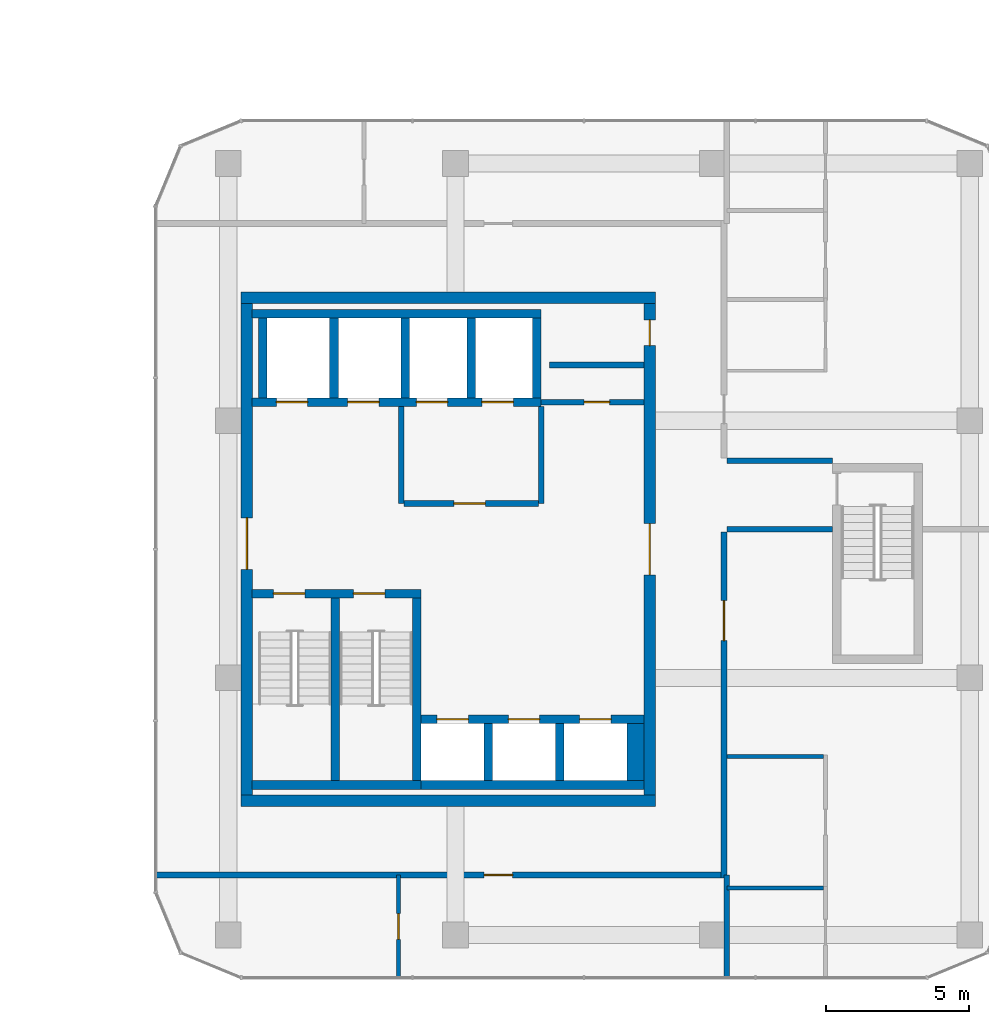
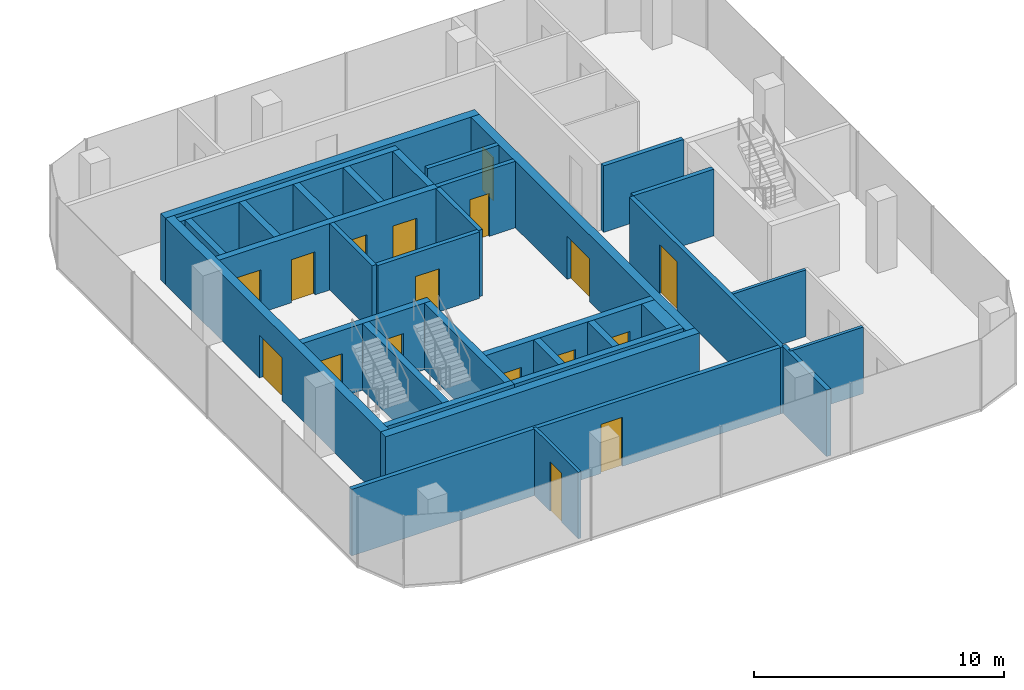
# One storey, part 17 of 22: 33 walls, 17 doors, 17 openings.
"""IFC4 building model written with IfcOpenShell, lengths in metres."""

from ifc_helpers import new_model, si_unit, direction, frame, frame_2d, origin, place, context, subcontext, project, spatial, rectangle, extrude, material, layer, layer_set, type_object, element, fill, save


model = new_model("IFC4")

# Units and contexts
model_context = context("Model", 3, precision=1e-05, world=origin(), true_north=direction((0.0, 1.0)))
body_context = subcontext(model_context, "Body", "Model", "MODEL_VIEW")
ifc_project = project(units=[si_unit("LENGTHUNIT", "METRE"), si_unit("AREAUNIT", "SQUARE_METRE"), si_unit("VOLUMEUNIT", "CUBIC_METRE"), si_unit("PLANEANGLEUNIT", "RADIAN"), si_unit("MASSUNIT", "GRAM", prefix="KILO")], contexts=[model_context])

# Site, building, storey
site_placement = place(None, origin())
site = spatial("IfcSite", under=ifc_project, at=site_placement, CompositionType="ELEMENT")
building_placement = place(site_placement, origin())
building = spatial("IfcBuilding", under=site, at=building_placement, Name="Plateau Cross Towers", CompositionType="ELEMENT")
storey_placement = place(building_placement, frame((0.0, 0.0, 109.800048828125)))
storey = spatial("IfcBuildingStorey", under=building, at=storey_placement, Name="L28", CompositionType="ELEMENT", Elevation=109.800048828125)

# Wall
ifc_material_1 = material(Name="Concrete block, plastered both sides", Category="concrete")
ifc_layer_1 = layer(ifc_material_1, 0.199951171875)
ifc_layer_set_1 = layer_set([ifc_layer_1], Name="Concrete block, plastered both sides")
wall_type_1 = type_object("IfcWallType", Name="Core partition 200", PredefinedType="PARTITIONING", material=ifc_layer_set_1)
wall_1_placement = place(storey_placement, frame((80.60009765625, 10.60009765625, 0.0), z_axis=(0.0, 0.0, 1.0), x_axis=(0.0, 1.0, 0.0)))
element("IfcWall", 1, at=wall_1_placement, inside=storey, type_object=wall_type_1, Name="Core partition", PredefinedType="PARTITIONING", context=body_context, shape_type="SweptSolid", body=[
    extrude(rectangle(XDim=3.39990234375, YDim=0.199951171875, at=frame_2d((1.699951171875, 0.0))), origin(), (0.0, 0.0, 1.0), 3.25),
])

# Wall, opening, door
wall_2_placement = place(storey_placement, frame((80.699951171875, 10.60009765625, 0.0), z_axis=(0.0, 0.0, 1.0), x_axis=(1.0, 0.0, 0.0)))
wall_2 = element("IfcWall", 2, at=wall_2_placement, inside=storey, type_object=wall_type_1, Name="Core partition", PredefinedType="PARTITIONING", context=body_context, shape_type="SweptSolid", body=[
    extrude(rectangle(XDim=4.699951171875, YDim=0.199951171875, at=frame_2d((2.35009765625, 0.0))), origin(), (0.0, 0.0, 1.0), 3.25),
])
opening_1_placement = place(wall_2_placement, frame((1.75, 0.0, 0.0)))
opening_1 = element("IfcOpeningElement", 3, at=opening_1_placement, cuts=wall_2, Name="Opening FFD", PredefinedType="OPENING", context=body_context, shape_type="SweptSolid", body=[
    extrude(rectangle(XDim=1.10009765625, YDim=2.10009765625, at=frame_2d((0.550048828125, 1.050048828125))), frame((0.0, 0.10986328125, 0.0), z_axis=(0.0, -1.0, 0.0), x_axis=(1.0, 0.0, 0.0)), (0.0, 0.0, 1.0), 0.219970703125),
])
ifc_material_2 = material(Name="Steel, fire-resisting leaf", Category="steel")
door_type_1 = type_object("IfcDoorType", Name="Firefighting lobby door 1100", OperationType="NOTDEFINED", PredefinedType="DOOR", material=ifc_material_2)
door_1_placement = place(opening_1_placement, origin())
door_1 = element("IfcDoor", 4, at=door_1_placement, inside=storey, type_object=door_type_1, Name="Firefighting lobby door FFD", OperationType="SINGLE_SWING_LEFT", OverallHeight=2.10009765625, OverallWidth=1.10009765625, PredefinedType="DOOR", context=body_context, shape_type="SweptSolid", body=[
    extrude(rectangle(XDim=1.10009765625, YDim=2.10009765625, at=frame_2d((0.550048828125, 1.050048828125))), frame((0.0, 0.02490234375, 0.0), z_axis=(0.0, -1.0, 0.0), x_axis=(1.0, 0.0, 0.0)), (0.0, 0.0, 1.0), 0.050048828125),
])
fill(opening_1, door_1)

# Wall
wall_3_placement = place(storey_placement, frame((85.5, 10.60009765625, 0.0), z_axis=(0.0, 0.0, 1.0), x_axis=(0.0, 1.0, 0.0)))
element("IfcWall", 5, at=wall_3_placement, inside=storey, type_object=wall_type_1, Name="Core partition", PredefinedType="PARTITIONING", context=body_context, shape_type="SweptSolid", body=[
    extrude(rectangle(XDim=3.39990234375, YDim=0.199951171875, at=frame_2d((1.699951171875, 0.0))), origin(), (0.0, 0.0, 1.0), 3.25),
])

# Wall, opening, door
wall_4_placement = place(storey_placement, frame((85.5, 14.14990234375, 0.0), z_axis=(0.0, 0.0, 1.0), x_axis=(1.0, 0.0, 0.0)))
wall_4 = element("IfcWall", 6, at=wall_4_placement, inside=storey, type_object=wall_type_1, Name="Core partition", PredefinedType="PARTITIONING", context=body_context, shape_type="SweptSolid", body=[
    extrude(rectangle(XDim=3.60009765625, YDim=0.199951171875, at=frame_2d((1.800048828125, 0.0))), origin(), (0.0, 0.0, 1.0), 3.25),
])
opening_2_placement = place(wall_4_placement, frame((1.5, 0.0, 0.0)))
opening_2 = element("IfcOpeningElement", 7, at=opening_2_placement, cuts=wall_4, Name="Opening RD2", PredefinedType="OPENING", context=body_context, shape_type="SweptSolid", body=[
    extrude(rectangle(XDim=0.89990234375, YDim=2.10009765625, at=frame_2d((0.449951171875, 1.050048828125))), frame((0.0, 0.10986328125, 0.0), z_axis=(0.0, -1.0, 0.0), x_axis=(1.0, 0.0, 0.0)), (0.0, 0.0, 1.0), 0.219970703125),
])
door_type_2 = type_object("IfcDoorType", Name="Core riser door 900", OperationType="NOTDEFINED", PredefinedType="DOOR", material=ifc_material_2)
door_2_placement = place(opening_2_placement, origin())
door_2 = element("IfcDoor", 8, at=door_2_placement, inside=storey, type_object=door_type_2, Name="Core riser door RD2", OperationType="SINGLE_SWING_LEFT", OverallHeight=2.10009765625, OverallWidth=0.89990234375, PredefinedType="DOOR", context=body_context, shape_type="SweptSolid", body=[
    extrude(rectangle(XDim=0.89990234375, YDim=2.10009765625, at=frame_2d((0.449951171875, 1.050048828125))), frame((0.0, 0.02490234375, 0.0), z_axis=(0.0, -1.0, 0.0), x_axis=(1.0, 0.0, 0.0)), (0.0, 0.0, 1.0), 0.050048828125),
])
fill(opening_2, door_2)

# Walls
wall_5_placement = place(storey_placement, frame((85.800048828125, 15.449951171875, 0.0), z_axis=(0.0, 0.0, 1.0), x_axis=(1.0, 0.0, 0.0)))
element("IfcWall", 9, at=wall_5_placement, inside=storey, type_object=wall_type_1, Name="Core partition", PredefinedType="PARTITIONING", context=body_context, shape_type="SweptSolid", body=[
    extrude(rectangle(XDim=3.300048828125, YDim=0.199951171875, at=frame_2d((1.64990234375, 0.0))), origin(), (0.0, 0.0, 1.0), 3.25),
])
ifc_material_3 = material(Name="Concrete C60/75", Category="concrete")
ifc_layer_2 = layer(ifc_material_3, 0.300048828125)
ifc_layer_set_2 = layer_set([ifc_layer_2], Name="Concrete C60/75")
wall_type_2 = type_object("IfcWallType", Name="Core shaft wall 300", PredefinedType="SHEAR", material=ifc_layer_set_2)
wall_6_placement = place(storey_placement, frame((75.3798828125, 0.75, 0.0), z_axis=(0.0, 0.0, 1.0), x_axis=(1.0, 0.0, 0.0)))
element("IfcWall", 10, at=wall_6_placement, inside=storey, type_object=wall_type_2, Name="B-sb-stS@L28", PredefinedType="SHEAR", context=body_context, shape_type="SweptSolid", body=[
    extrude(rectangle(XDim=5.920166015625, YDim=0.300048828125, at=frame_2d((2.9599609375, 0.0))), origin(), (0.0, 0.0, 1.0), 3.25),
])

# Wall, openings, doors
wall_7_placement = place(storey_placement, frame((75.3798828125, 7.449951171875, 0.0), z_axis=(0.0, 0.0, 1.0), x_axis=(1.0, 0.0, 0.0)))
wall_7 = element("IfcWall", 11, at=wall_7_placement, inside=storey, type_object=wall_type_2, Name="B-sb-stN@L28", PredefinedType="SHEAR", context=body_context, shape_type="SweptSolid", body=[
    extrude(rectangle(XDim=5.920166015625, YDim=0.300048828125, at=frame_2d((2.9599609375, 0.0))), origin(), (0.0, 0.0, 1.0), 3.25),
])
opening_3_placement = place(wall_7_placement, frame((0.75, 0.0, 0.0)))
opening_3 = element("IfcOpeningElement", 12, at=opening_3_placement, cuts=wall_7, Name="Opening SD", PredefinedType="OPENING", context=body_context, shape_type="SweptSolid", body=[
    extrude(rectangle(XDim=1.10009765625, YDim=2.10009765625, at=frame_2d((0.550048828125, 1.050048828125))), frame((0.0, 0.159912109375, 0.0), z_axis=(0.0, -1.0, 0.0), x_axis=(1.0, 0.0, 0.0)), (0.0, 0.0, 1.0), 0.320068359375),
])
opening_4_placement = place(wall_7_placement, frame((3.550048828125, 0.0, 0.0)))
opening_4 = element("IfcOpeningElement", 13, at=opening_4_placement, cuts=wall_7, Name="Opening SD", PredefinedType="OPENING", context=body_context, shape_type="SweptSolid", body=[
    extrude(rectangle(XDim=1.10009765625, YDim=2.10009765625, at=frame_2d((0.550048828125, 1.050048828125))), frame((0.0, 0.159912109375, 0.0), z_axis=(0.0, -1.0, 0.0), x_axis=(1.0, 0.0, 0.0)), (0.0, 0.0, 1.0), 0.320068359375),
])
door_type_3 = type_object("IfcDoorType", Name="Stair door 1100", OperationType="NOTDEFINED", PredefinedType="DOOR", material=ifc_material_2)
door_3_placement = place(opening_3_placement, origin())
door_3 = element("IfcDoor", 14, at=door_3_placement, inside=storey, type_object=door_type_3, Name="Stair door SD", OperationType="SINGLE_SWING_RIGHT", OverallHeight=2.10009765625, OverallWidth=1.10009765625, PredefinedType="DOOR", context=body_context, shape_type="SweptSolid", body=[
    extrude(rectangle(XDim=1.10009765625, YDim=2.10009765625, at=frame_2d((0.550048828125, 1.050048828125))), frame((0.0, 0.02490234375, 0.0), z_axis=(0.0, -1.0, 0.0), x_axis=(1.0, 0.0, 0.0)), (0.0, 0.0, 1.0), 0.050048828125),
])
fill(opening_3, door_3)
door_4_placement = place(opening_4_placement, origin())
door_4 = element("IfcDoor", 15, at=door_4_placement, inside=storey, type_object=door_type_3, Name="Stair door SD", OperationType="SINGLE_SWING_LEFT", OverallHeight=2.10009765625, OverallWidth=1.10009765625, PredefinedType="DOOR", context=body_context, shape_type="SweptSolid", body=[
    extrude(rectangle(XDim=1.10009765625, YDim=2.10009765625, at=frame_2d((0.550048828125, 1.050048828125))), frame((0.0, 0.02490234375, 0.0), z_axis=(0.0, -1.0, 0.0), x_axis=(1.0, 0.0, 0.0)), (0.0, 0.0, 1.0), 0.050048828125),
])
fill(opening_4, door_4)

# Walls
for number, where, z_axis, x_axis, name in (
    (16, (78.300048828125, 0.89990234375, 0.0), (0.0, 0.0, 1.0), (0.0, 1.0, 0.0), "B-sb-st1@L28"),
    (17, (81.14990234375, 0.89990234375, 0.0), (0.0, 0.0, 1.0), (0.0, 1.0, 0.0), "B-sb-st2@L28"),
):
    element("IfcWall", number, at=place(storey_placement, frame(where, z_axis=z_axis, x_axis=x_axis)), inside=storey, type_object=wall_type_2, Name=name, PredefinedType="SHEAR", context=body_context, shape_type="SweptSolid", body=[
        extrude(rectangle(XDim=6.400146484375, YDim=0.300048828125, at=frame_2d((3.2001953125, 0.0))), origin(), (0.0, 0.0, 1.0), 3.25),
    ])
wall_8_placement = place(storey_placement, frame((81.300048828125, 0.75, 0.0), z_axis=(0.0, 0.0, 1.0), x_axis=(1.0, 0.0, 0.0)))
element("IfcWall", 18, at=wall_8_placement, inside=storey, type_object=wall_type_2, Name="B-sb-back@L28", PredefinedType="SHEAR", context=body_context, shape_type="SweptSolid", body=[
    extrude(rectangle(XDim=7.800048828125, YDim=0.300048828125, at=frame_2d((3.89990234375, 0.0))), origin(), (0.0, 0.0, 1.0), 3.25),
])
for number, where, z_axis, x_axis, name in (
    (19, (83.64990234375, 0.89990234375, 0.0), (0.0, 0.0, 1.0), (0.0, 1.0, 0.0), "B-sb-v1@L28"),
    (20, (86.14990234375, 0.89990234375, 0.0), (0.0, 0.0, 1.0), (0.0, 1.0, 0.0), "B-sb-v2@L28"),
):
    element("IfcWall", number, at=place(storey_placement, frame(where, z_axis=z_axis, x_axis=x_axis)), inside=storey, type_object=wall_type_2, Name=name, PredefinedType="SHEAR", context=body_context, shape_type="SweptSolid", body=[
        extrude(rectangle(XDim=2.0, YDim=0.300048828125, at=frame_2d((1.0, 0.0))), origin(), (0.0, 0.0, 1.0), 3.25),
    ])

# Wall, openings, doors
wall_9_placement = place(storey_placement, frame((81.300048828125, 3.050048828125, 0.0), z_axis=(0.0, 0.0, 1.0), x_axis=(1.0, 0.0, 0.0)))
wall_9 = element("IfcWall", 21, at=wall_9_placement, inside=storey, type_object=wall_type_2, Name="B-sb-front@L28", PredefinedType="SHEAR", context=body_context, shape_type="SweptSolid", body=[
    extrude(rectangle(XDim=7.800048828125, YDim=0.300048828125, at=frame_2d((3.89990234375, 0.0))), origin(), (0.0, 0.0, 1.0), 3.25),
])
opening_5_placement = place(wall_9_placement, frame((0.550048828125, 0.0, 0.0)))
opening_5 = element("IfcOpeningElement", 22, at=opening_5_placement, cuts=wall_9, Name="Opening LD", PredefinedType="OPENING", context=body_context, shape_type="SweptSolid", body=[
    extrude(rectangle(XDim=1.10009765625, YDim=2.10009765625, at=frame_2d((0.550048828125, 1.050048828125))), frame((0.0, 0.159912109375, 0.0), z_axis=(0.0, -1.0, 0.0), x_axis=(1.0, 0.0, 0.0)), (0.0, 0.0, 1.0), 0.320068359375),
])
opening_6_placement = place(wall_9_placement, frame((3.050048828125, 0.0, 0.0)))
opening_6 = element("IfcOpeningElement", 23, at=opening_6_placement, cuts=wall_9, Name="Opening LD", PredefinedType="OPENING", context=body_context, shape_type="SweptSolid", body=[
    extrude(rectangle(XDim=1.10009765625, YDim=2.10009765625, at=frame_2d((0.550048828125, 1.050048828125))), frame((0.0, 0.159912109375, 0.0), z_axis=(0.0, -1.0, 0.0), x_axis=(1.0, 0.0, 0.0)), (0.0, 0.0, 1.0), 0.320068359375),
])
opening_7_placement = place(wall_9_placement, frame((5.550048828125, 0.0, 0.0)))
opening_7 = element("IfcOpeningElement", 24, at=opening_7_placement, cuts=wall_9, Name="Opening LD", PredefinedType="OPENING", context=body_context, shape_type="SweptSolid", body=[
    extrude(rectangle(XDim=1.10009765625, YDim=2.10009765625, at=frame_2d((0.550048828125, 1.050048828125))), frame((0.0, 0.159912109375, 0.0), z_axis=(0.0, -1.0, 0.0), x_axis=(1.0, 0.0, 0.0)), (0.0, 0.0, 1.0), 0.320068359375),
])
ifc_material_4 = material(Name="Stainless steel, fire-resisting sliding leaves", Category="steel")
door_type_4 = type_object("IfcDoorType", Name="Lift landing door 1100", OperationType="NOTDEFINED", PredefinedType="DOOR", material=ifc_material_4)
door_5_placement = place(opening_5_placement, origin())
door_5 = element("IfcDoor", 25, at=door_5_placement, inside=storey, type_object=door_type_4, Name="Lift landing door LD", OperationType="DOUBLE_DOOR_SLIDING", OverallHeight=2.10009765625, OverallWidth=1.10009765625, PredefinedType="DOOR", context=body_context, shape_type="SweptSolid", body=[
    extrude(rectangle(XDim=1.10009765625, YDim=2.10009765625, at=frame_2d((0.550048828125, 1.050048828125))), frame((0.0, 0.02490234375, 0.0), z_axis=(0.0, -1.0, 0.0), x_axis=(1.0, 0.0, 0.0)), (0.0, 0.0, 1.0), 0.050048828125),
])
fill(opening_5, door_5)
door_6_placement = place(opening_6_placement, origin())
door_6 = element("IfcDoor", 26, at=door_6_placement, inside=storey, type_object=door_type_4, Name="Lift landing door LD", OperationType="DOUBLE_DOOR_SLIDING", OverallHeight=2.10009765625, OverallWidth=1.10009765625, PredefinedType="DOOR", context=body_context, shape_type="SweptSolid", body=[
    extrude(rectangle(XDim=1.10009765625, YDim=2.10009765625, at=frame_2d((0.550048828125, 1.050048828125))), frame((0.0, 0.02490234375, 0.0), z_axis=(0.0, -1.0, 0.0), x_axis=(1.0, 0.0, 0.0)), (0.0, 0.0, 1.0), 0.050048828125),
])
fill(opening_6, door_6)
door_7_placement = place(opening_7_placement, origin())
door_7 = element("IfcDoor", 27, at=door_7_placement, inside=storey, type_object=door_type_4, Name="Lift landing door LD", OperationType="DOUBLE_DOOR_SLIDING", OverallHeight=2.10009765625, OverallWidth=1.10009765625, PredefinedType="DOOR", context=body_context, shape_type="SweptSolid", body=[
    extrude(rectangle(XDim=1.10009765625, YDim=2.10009765625, at=frame_2d((0.550048828125, 1.050048828125))), frame((0.0, 0.02490234375, 0.0), z_axis=(0.0, -1.0, 0.0), x_axis=(1.0, 0.0, 0.0)), (0.0, 0.0, 1.0), 0.050048828125),
])
fill(opening_7, door_7)

# Wall
wall_10_placement = place(storey_placement, frame((75.3798828125, 17.25, 0.0), z_axis=(0.0, 0.0, 1.0), x_axis=(1.0, 0.0, 0.0)))
element("IfcWall", 28, at=wall_10_placement, inside=storey, type_object=wall_type_2, Name="B-nb-back@L28", PredefinedType="SHEAR", context=body_context, shape_type="SweptSolid", body=[
    extrude(rectangle(XDim=10.1201171875, YDim=0.300048828125, at=frame_2d((5.06005859375, 0.0))), origin(), (0.0, 0.0, 1.0), 3.25),
])

# Wall, openings, doors
wall_11_placement = place(storey_placement, frame((75.3798828125, 14.14990234375, 0.0), z_axis=(0.0, 0.0, 1.0), x_axis=(1.0, 0.0, 0.0)))
wall_11 = element("IfcWall", 29, at=wall_11_placement, inside=storey, type_object=wall_type_2, Name="B-nb-front@L28", PredefinedType="SHEAR", context=body_context, shape_type="SweptSolid", body=[
    extrude(rectangle(XDim=10.1201171875, YDim=0.300048828125, at=frame_2d((5.06005859375, 0.0))), origin(), (0.0, 0.0, 1.0), 3.25),
])
opening_8_placement = place(wall_11_placement, frame((0.85009765625, 0.0, 0.0)))
opening_8 = element("IfcOpeningElement", 30, at=opening_8_placement, cuts=wall_11, Name="Opening LD", PredefinedType="OPENING", context=body_context, shape_type="SweptSolid", body=[
    extrude(rectangle(XDim=1.10009765625, YDim=2.10009765625, at=frame_2d((0.550048828125, 1.050048828125))), frame((0.0, 0.159912109375, 0.0), z_axis=(0.0, -1.0, 0.0), x_axis=(1.0, 0.0, 0.0)), (0.0, 0.0, 1.0), 0.320068359375),
])
opening_9_placement = place(wall_11_placement, frame((3.35009765625, 0.0, 0.0)))
opening_9 = element("IfcOpeningElement", 31, at=opening_9_placement, cuts=wall_11, Name="Opening LD", PredefinedType="OPENING", context=body_context, shape_type="SweptSolid", body=[
    extrude(rectangle(XDim=1.10009765625, YDim=2.10009765625, at=frame_2d((0.550048828125, 1.050048828125))), frame((0.0, 0.159912109375, 0.0), z_axis=(0.0, -1.0, 0.0), x_axis=(1.0, 0.0, 0.0)), (0.0, 0.0, 1.0), 0.320068359375),
])
opening_10_placement = place(wall_11_placement, frame((5.75, 0.0, 0.0)))
opening_10 = element("IfcOpeningElement", 32, at=opening_10_placement, cuts=wall_11, Name="Opening LD", PredefinedType="OPENING", context=body_context, shape_type="SweptSolid", body=[
    extrude(rectangle(XDim=1.10009765625, YDim=2.10009765625, at=frame_2d((0.550048828125, 1.050048828125))), frame((0.0, 0.159912109375, 0.0), z_axis=(0.0, -1.0, 0.0), x_axis=(1.0, 0.0, 0.0)), (0.0, 0.0, 1.0), 0.320068359375),
])
opening_11_placement = place(wall_11_placement, frame((8.050048828125, 0.0, 0.0)))
opening_11 = element("IfcOpeningElement", 33, at=opening_11_placement, cuts=wall_11, Name="Opening LD", PredefinedType="OPENING", context=body_context, shape_type="SweptSolid", body=[
    extrude(rectangle(XDim=1.10009765625, YDim=2.10009765625, at=frame_2d((0.550048828125, 1.050048828125))), frame((0.0, 0.159912109375, 0.0), z_axis=(0.0, -1.0, 0.0), x_axis=(1.0, 0.0, 0.0)), (0.0, 0.0, 1.0), 0.320068359375),
])
door_8_placement = place(opening_8_placement, origin())
door_8 = element("IfcDoor", 34, at=door_8_placement, inside=storey, type_object=door_type_4, Name="Lift landing door LD", OperationType="DOUBLE_DOOR_SLIDING", OverallHeight=2.10009765625, OverallWidth=1.10009765625, PredefinedType="DOOR", context=body_context, shape_type="SweptSolid", body=[
    extrude(rectangle(XDim=1.10009765625, YDim=2.10009765625, at=frame_2d((0.550048828125, 1.050048828125))), frame((0.0, 0.02490234375, 0.0), z_axis=(0.0, -1.0, 0.0), x_axis=(1.0, 0.0, 0.0)), (0.0, 0.0, 1.0), 0.050048828125),
])
fill(opening_8, door_8)
door_9_placement = place(opening_9_placement, origin())
door_9 = element("IfcDoor", 35, at=door_9_placement, inside=storey, type_object=door_type_4, Name="Lift landing door LD", OperationType="DOUBLE_DOOR_SLIDING", OverallHeight=2.10009765625, OverallWidth=1.10009765625, PredefinedType="DOOR", context=body_context, shape_type="SweptSolid", body=[
    extrude(rectangle(XDim=1.10009765625, YDim=2.10009765625, at=frame_2d((0.550048828125, 1.050048828125))), frame((0.0, 0.02490234375, 0.0), z_axis=(0.0, -1.0, 0.0), x_axis=(1.0, 0.0, 0.0)), (0.0, 0.0, 1.0), 0.050048828125),
])
fill(opening_9, door_9)
door_10_placement = place(opening_10_placement, origin())
door_10 = element("IfcDoor", 36, at=door_10_placement, inside=storey, type_object=door_type_4, Name="Lift landing door LD", OperationType="DOUBLE_DOOR_SLIDING", OverallHeight=2.10009765625, OverallWidth=1.10009765625, PredefinedType="DOOR", context=body_context, shape_type="SweptSolid", body=[
    extrude(rectangle(XDim=1.10009765625, YDim=2.10009765625, at=frame_2d((0.550048828125, 1.050048828125))), frame((0.0, 0.02490234375, 0.0), z_axis=(0.0, -1.0, 0.0), x_axis=(1.0, 0.0, 0.0)), (0.0, 0.0, 1.0), 0.050048828125),
])
fill(opening_10, door_10)
door_11_placement = place(opening_11_placement, origin())
door_11 = element("IfcDoor", 37, at=door_11_placement, inside=storey, type_object=door_type_4, Name="Lift landing door LD", OperationType="DOUBLE_DOOR_SLIDING", OverallHeight=2.10009765625, OverallWidth=1.10009765625, PredefinedType="DOOR", context=body_context, shape_type="SweptSolid", body=[
    extrude(rectangle(XDim=1.10009765625, YDim=2.10009765625, at=frame_2d((0.550048828125, 1.050048828125))), frame((0.0, 0.02490234375, 0.0), z_axis=(0.0, -1.0, 0.0), x_axis=(1.0, 0.0, 0.0)), (0.0, 0.0, 1.0), 0.050048828125),
])
fill(opening_11, door_11)

# Walls
for number, where, z_axis, x_axis, name in (
    (38, (75.75, 14.300048828125, 0.0), (0.0, 0.0, 1.0), (0.0, 1.0, 0.0), "B-nb-v0@L28"),
    (39, (78.25, 14.300048828125, 0.0), (0.0, 0.0, 1.0), (0.0, 1.0, 0.0), "B-nb-v1@L28"),
    (40, (80.75, 14.300048828125, 0.0), (0.0, 0.0, 1.0), (0.0, 1.0, 0.0), "B-nb-v2@L28"),
    (41, (83.050048828125, 14.300048828125, 0.0), (0.0, 0.0, 1.0), (0.0, 1.0, 0.0), "B-nb-v3@L28"),
    (42, (85.35009765625, 14.300048828125, 0.0), (0.0, 0.0, 1.0), (0.0, 1.0, 0.0), "B-nb-v4@L28"),
):
    element("IfcWall", number, at=place(storey_placement, frame(where, z_axis=z_axis, x_axis=x_axis)), inside=storey, type_object=wall_type_2, Name=name, PredefinedType="SHEAR", context=body_context, shape_type="SweptSolid", body=[
        extrude(rectangle(XDim=2.800048828125, YDim=0.300048828125, at=frame_2d((1.39990234375, 0.0))), origin(), (0.0, 0.0, 1.0), 3.25),
    ])
ifc_layer_3 = layer(ifc_material_3, 0.60009765625)
ifc_layer_set_3 = layer_set([ifc_layer_3], Name="Concrete C60/75")
wall_type_3 = type_object("IfcWallType", Name="Core shaft wall 600", PredefinedType="SHEAR", material=ifc_layer_set_3)
wall_12_placement = place(storey_placement, frame((88.800048828125, 0.89990234375, 0.0), z_axis=(0.0, 0.0, 1.0), x_axis=(0.0, 1.0, 0.0)))
element("IfcWall", 43, at=wall_12_placement, inside=storey, type_object=wall_type_3, Name="B-sb-v3@L28", PredefinedType="SHEAR", context=body_context, shape_type="SweptSolid", body=[
    extrude(rectangle(XDim=2.0, YDim=0.60009765625, at=frame_2d((1.0, 0.0))), origin(), (0.0, 0.0, 1.0), 3.25),
])
ifc_layer_4 = layer(ifc_material_3, 0.39990234375)
ifc_layer_set_4 = layer_set([ifc_layer_4], Name="Concrete C60/75")
wall_type_4 = type_object("IfcWallType", Name="Core shell wall 400", PredefinedType="SHEAR", material=ifc_layer_set_4)
for number, where, z_axis, x_axis, name in (
    (44, (75.0, 0.199951171875, 0.0), (0.0, 0.0, 1.0), (1.0, 0.0, 0.0), "B-core-S@L28"),
    (45, (75.0, 17.800048828125, 0.0), (0.0, 0.0, 1.0), (1.0, 0.0, 0.0), "B-core-N@L28"),
):
    element("IfcWall", number, at=place(storey_placement, frame(where, z_axis=z_axis, x_axis=x_axis)), inside=storey, type_object=wall_type_4, Name=name, PredefinedType="SHEAR", context=body_context, shape_type="SweptSolid", body=[
        extrude(rectangle(XDim=14.5, YDim=0.39990234375, at=frame_2d((7.25, 0.0))), origin(), (0.0, 0.0, 1.0), 3.25),
    ])

# Wall, opening, door
wall_13_placement = place(storey_placement, frame((75.199951171875, 0.39990234375, 0.0), z_axis=(0.0, 0.0, 1.0), x_axis=(0.0, 1.0, 0.0)))
wall_13 = element("IfcWall", 46, at=wall_13_placement, inside=storey, type_object=wall_type_4, Name="B-core-W@L28", PredefinedType="SHEAR", context=body_context, shape_type="SweptSolid", body=[
    extrude(rectangle(XDim=17.2001953125, YDim=0.39990234375, at=frame_2d((8.60009765625, 0.0))), origin(), (0.0, 0.0, 1.0), 3.25),
])
opening_12_placement = place(wall_13_placement, frame((7.89990234375, 0.0, 0.0)))
opening_12 = element("IfcOpeningElement", 47, at=opening_12_placement, cuts=wall_13, Name="Opening CD", PredefinedType="OPENING", context=body_context, shape_type="SweptSolid", body=[
    extrude(rectangle(XDim=1.800048828125, YDim=2.10009765625, at=frame_2d((0.89990234375, 1.050048828125))), frame((0.0, 0.2099609375, 0.0), z_axis=(0.0, -1.0, 0.0), x_axis=(1.0, 0.0, 0.0)), (0.0, 0.0, 1.0), 0.419921875),
])
ifc_material_5 = material(Name="Steel, fire-resisting leaves", Category="steel")
door_type_5 = type_object("IfcDoorType", Name="Corridor door pair 1800", OperationType="NOTDEFINED", PredefinedType="DOOR", material=ifc_material_5)
door_12_placement = place(opening_12_placement, origin())
door_12 = element("IfcDoor", 48, at=door_12_placement, inside=storey, type_object=door_type_5, Name="Corridor door pair CD", OperationType="DOUBLE_DOOR_SINGLE_SWING", OverallHeight=2.10009765625, OverallWidth=1.800048828125, PredefinedType="DOOR", context=body_context, shape_type="SweptSolid", body=[
    extrude(rectangle(XDim=1.800048828125, YDim=2.10009765625, at=frame_2d((0.89990234375, 1.050048828125))), frame((0.0, 0.02490234375, 0.0), z_axis=(0.0, -1.0, 0.0), x_axis=(1.0, 0.0, 0.0)), (0.0, 0.0, 1.0), 0.050048828125),
])
fill(opening_12, door_12)

# Wall, openings, doors
wall_14_placement = place(storey_placement, frame((89.300048828125, 0.39990234375, 0.0), z_axis=(0.0, 0.0, 1.0), x_axis=(0.0, 1.0, 0.0)))
wall_14 = element("IfcWall", 49, at=wall_14_placement, inside=storey, type_object=wall_type_4, Name="B-core-E@L28", PredefinedType="SHEAR", context=body_context, shape_type="SweptSolid", body=[
    extrude(rectangle(XDim=17.2001953125, YDim=0.39990234375, at=frame_2d((8.60009765625, 0.0))), origin(), (0.0, 0.0, 1.0), 3.25),
])
opening_13_placement = place(wall_14_placement, frame((7.699951171875, 0.0, 0.0)))
opening_13 = element("IfcOpeningElement", 50, at=opening_13_placement, cuts=wall_14, Name="Opening CD", PredefinedType="OPENING", context=body_context, shape_type="SweptSolid", body=[
    extrude(rectangle(XDim=1.800048828125, YDim=2.10009765625, at=frame_2d((0.89990234375, 1.050048828125))), frame((0.0, 0.2099609375, 0.0), z_axis=(0.0, -1.0, 0.0), x_axis=(1.0, 0.0, 0.0)), (0.0, 0.0, 1.0), 0.419921875),
])
opening_14_placement = place(wall_14_placement, frame((15.72509765625, 0.0, 0.0)))
opening_14 = element("IfcOpeningElement", 51, at=opening_14_placement, cuts=wall_14, Name="Opening RD2", PredefinedType="OPENING", context=body_context, shape_type="SweptSolid", body=[
    extrude(rectangle(XDim=0.89990234375, YDim=2.10009765625, at=frame_2d((0.449951171875, 1.050048828125))), frame((0.0, 0.2099609375, 0.0), z_axis=(0.0, -1.0, 0.0), x_axis=(1.0, 0.0, 0.0)), (0.0, 0.0, 1.0), 0.419921875),
])
door_13_placement = place(opening_14_placement, origin())
door_13 = element("IfcDoor", 52, at=door_13_placement, inside=storey, type_object=door_type_2, Name="Core riser door RD2", OperationType="SINGLE_SWING_LEFT", OverallHeight=2.10009765625, OverallWidth=0.89990234375, PredefinedType="DOOR", context=body_context, shape_type="SweptSolid", body=[
    extrude(rectangle(XDim=0.89990234375, YDim=2.10009765625, at=frame_2d((0.449951171875, 1.050048828125))), frame((0.0, 0.02490234375, 0.0), z_axis=(0.0, -1.0, 0.0), x_axis=(1.0, 0.0, 0.0)), (0.0, 0.0, 1.0), 0.050048828125),
])
fill(opening_14, door_13)
door_14_placement = place(opening_13_placement, origin())
door_14 = element("IfcDoor", 53, at=door_14_placement, inside=storey, type_object=door_type_5, Name="Corridor door pair CD", OperationType="DOUBLE_DOOR_SINGLE_SWING", OverallHeight=2.10009765625, OverallWidth=1.800048828125, PredefinedType="DOOR", context=body_context, shape_type="SweptSolid", body=[
    extrude(rectangle(XDim=1.800048828125, YDim=2.10009765625, at=frame_2d((0.89990234375, 1.050048828125))), frame((0.0, 0.02490234375, 0.0), z_axis=(0.0, -1.0, 0.0), x_axis=(1.0, 0.0, 0.0)), (0.0, 0.0, 1.0), 0.050048828125),
])
fill(opening_13, door_14)

# Wall, opening, door
ifc_material_6 = material(Name="Gypsum board on steel studs, two layers each side", Category="steel")
ifc_layer_5 = layer(ifc_material_6, 0.199951171875)
ifc_layer_set_5 = layer_set([ifc_layer_5], Name="Gypsum board on steel studs, two layers each side")
wall_type_5 = type_object("IfcWallType", Name="Corridor wall 200", PredefinedType="PARTITIONING", material=ifc_layer_set_5)
wall_15_placement = place(storey_placement, frame((72.0, -2.39990234375, 0.0), z_axis=(0.0, 0.0, 1.0), x_axis=(1.0, 0.0, 0.0)))
wall_15 = element("IfcWall", 54, at=wall_15_placement, inside=storey, type_object=wall_type_5, Name="Ring wall", PredefinedType="PARTITIONING", context=body_context, shape_type="SweptSolid", body=[
    extrude(rectangle(XDim=20.0, YDim=0.199951171875, at=frame_2d((10.0, 0.0))), origin(), (0.0, 0.0, 1.0), 3.25),
])
opening_15_placement = place(wall_15_placement, frame((11.5, 0.0, 0.0)))
opening_15 = element("IfcOpeningElement", 55, at=opening_15_placement, cuts=wall_15, Name="Opening D-BO10", PredefinedType="OPENING", context=body_context, shape_type="SweptSolid", body=[
    extrude(rectangle(XDim=1.0, YDim=2.39990234375, at=frame_2d((0.5, 1.199951171875))), frame((0.0, 0.10986328125, 0.0), z_axis=(0.0, -1.0, 0.0), x_axis=(1.0, 0.0, 0.0)), (0.0, 0.0, 1.0), 0.219970703125),
])
ifc_material_7 = material(Name="Fire-resisting glazed leaf in a steel frame", Category="steel")
door_type_6 = type_object("IfcDoorType", Name="Office glazed entrance leaf 1000x2400", OperationType="NOTDEFINED", PredefinedType="DOOR", material=ifc_material_7)
door_15_placement = place(opening_15_placement, origin())
door_15 = element("IfcDoor", 56, at=door_15_placement, inside=storey, type_object=door_type_6, Name="Door D-BO10", OperationType="SINGLE_SWING_LEFT", OverallHeight=2.39990234375, OverallWidth=1.0, PredefinedType="DOOR", context=body_context, shape_type="SweptSolid", body=[
    extrude(rectangle(XDim=1.0, YDim=2.39990234375, at=frame_2d((0.5, 1.199951171875))), frame((0.0, 0.02490234375, 0.0), z_axis=(0.0, -1.0, 0.0), x_axis=(1.0, 0.0, 0.0)), (0.0, 0.0, 1.0), 0.050048828125),
])
fill(opening_15, door_15)

wall_16_placement = place(storey_placement, frame((91.89990234375, -2.5, 0.0), z_axis=(0.0, 0.0, 1.0), x_axis=(0.0, 1.0, 0.0)))
wall_16 = element("IfcWall", 57, at=wall_16_placement, inside=storey, type_object=wall_type_5, Name="Ring wall", PredefinedType="PARTITIONING", context=body_context, shape_type="SweptSolid", body=[
    extrude(rectangle(XDim=12.10009765625, YDim=0.199951171875, at=frame_2d((6.050048828125, 0.0))), origin(), (0.0, 0.0, 1.0), 3.25),
])
opening_16_placement = place(wall_16_placement, frame((8.300048828125, 0.0, 0.0)))
opening_16 = element("IfcOpeningElement", 58, at=opening_16_placement, cuts=wall_16, Name="Opening D-BE14", PredefinedType="OPENING", context=body_context, shape_type="SweptSolid", body=[
    extrude(rectangle(XDim=1.39990234375, YDim=2.39990234375, at=frame_2d((0.699951171875, 1.199951171875))), frame((0.0, 0.10986328125, 0.0), z_axis=(0.0, -1.0, 0.0), x_axis=(1.0, 0.0, 0.0)), (0.0, 0.0, 1.0), 0.219970703125),
])
ifc_material_8 = material(Name="Timber, fire-resisting leaves", Category="wood")
door_type_7 = type_object("IfcDoorType", Name="Tenant entrance double-leaf 1400x2400", OperationType="NOTDEFINED", PredefinedType="DOOR", material=ifc_material_8)
door_16_placement = place(opening_16_placement, origin())
door_16 = element("IfcDoor", 59, at=door_16_placement, inside=storey, type_object=door_type_7, Name="Door D-BE14", OperationType="DOUBLE_DOOR_SINGLE_SWING", OverallHeight=2.39990234375, OverallWidth=1.39990234375, PredefinedType="DOOR", context=body_context, shape_type="SweptSolid", body=[
    extrude(rectangle(XDim=1.39990234375, YDim=2.39990234375, at=frame_2d((0.699951171875, 1.199951171875))), frame((0.0, 0.02490234375, 0.0), z_axis=(0.0, -1.0, 0.0), x_axis=(1.0, 0.0, 0.0)), (0.0, 0.0, 1.0), 0.050048828125),
])
fill(opening_16, door_16)

# Walls
for number, where, z_axis, x_axis, name in (
    (60, (92.0, 9.699951171875, 0.0), (0.0, 0.0, 1.0), (1.0, 0.0, 0.0), "Ring wall"),
    (61, (92.0, 12.10009765625, 0.0), (0.0, 0.0, 1.0), (1.0, 0.0, 0.0), "Ring wall"),
):
    element("IfcWall", number, at=place(storey_placement, frame(where, z_axis=z_axis, x_axis=x_axis)), inside=storey, type_object=wall_type_5, Name=name, PredefinedType="PARTITIONING", context=body_context, shape_type="SweptSolid", body=[
        extrude(rectangle(XDim=3.699951171875, YDim=0.199951171875, at=frame_2d((1.85009765625, 0.0))), origin(), (0.0, 0.0, 1.0), 3.25),
    ])

# Wall, opening, door
ifc_material_9 = material(Name="Gypsum board on staggered steel studs, mineral wool, two layers each side", Category="steel")
ifc_layer_6 = layer(ifc_material_9, 0.139892578125)
ifc_layer_set_6 = layer_set([ifc_layer_6], Name="Gypsum board on staggered steel studs, mineral wool, two layers each side")
wall_type_6 = type_object("IfcWallType", Name="Meeting room acoustic partition 140", PredefinedType="PARTITIONING", material=ifc_layer_set_6)
wall_17_placement = place(storey_placement, frame((80.5, -6.0, 0.0), z_axis=(0.0, 0.0, 1.0), x_axis=(0.0, 1.0, 0.0)))
wall_17 = element("IfcWall", 62, at=wall_17_placement, inside=storey, type_object=wall_type_6, Name="Acoustic wall", PredefinedType="PARTITIONING", context=body_context, shape_type="SweptSolid", body=[
    extrude(rectangle(XDim=3.60009765625, YDim=0.139892578125, at=frame_2d((1.800048828125, 0.0))), origin(), (0.0, 0.0, 1.0), 3.25),
])
opening_17_placement = place(wall_17_placement, frame((1.35009765625, 0.0, 0.0)))
opening_17 = element("IfcOpeningElement", 63, at=opening_17_placement, cuts=wall_17, Name="Opening D-BM9", PredefinedType="OPENING", context=body_context, shape_type="SweptSolid", body=[
    extrude(rectangle(XDim=0.89990234375, YDim=2.39990234375, at=frame_2d((0.449951171875, 1.199951171875))), frame((0.0, 0.079833984375, 0.0), z_axis=(0.0, -1.0, 0.0), x_axis=(1.0, 0.0, 0.0)), (0.0, 0.0, 1.0), 0.159912109375),
])
ifc_material_10 = material(Name="Timber leaf, full height", Category="wood")
door_type_8 = type_object("IfcDoorType", Name="Meeting room door 900x2400", OperationType="NOTDEFINED", PredefinedType="DOOR", material=ifc_material_10)
door_17_placement = place(opening_17_placement, origin())
door_17 = element("IfcDoor", 64, at=door_17_placement, inside=storey, type_object=door_type_8, Name="Door D-BM9", OperationType="SINGLE_SWING_LEFT", OverallHeight=2.39990234375, OverallWidth=0.89990234375, PredefinedType="DOOR", context=body_context, shape_type="SweptSolid", body=[
    extrude(rectangle(XDim=0.89990234375, YDim=2.39990234375, at=frame_2d((0.449951171875, 1.199951171875))), frame((0.0, 0.02490234375, 0.0), z_axis=(0.0, -1.0, 0.0), x_axis=(1.0, 0.0, 0.0)), (0.0, 0.0, 1.0), 0.050048828125),
])
fill(opening_17, door_17)

# Walls
for number, where, z_axis, x_axis, name in (
    (65, (92.0, -2.85009765625, 0.0), (0.0, 0.0, 1.0), (1.0, 0.0, 0.0), "Acoustic wall"),
    (66, (92.0, 1.75, 0.0), (0.0, 0.0, 1.0), (1.0, 0.0, 0.0), "Acoustic wall"),
):
    element("IfcWall", number, at=place(storey_placement, frame(where, z_axis=z_axis, x_axis=x_axis)), inside=storey, type_object=wall_type_6, Name=name, PredefinedType="PARTITIONING", context=body_context, shape_type="SweptSolid", body=[
        extrude(rectangle(XDim=3.3798828125, YDim=0.139892578125, at=frame_2d((1.68994140625, 0.0))), origin(), (0.0, 0.0, 1.0), 3.25),
    ])
ifc_layer_7 = layer(ifc_material_6, 0.199951171875)
ifc_layer_set_7 = layer_set([ifc_layer_7], Name="Gypsum board on steel studs, two layers each side")
wall_type_7 = type_object("IfcWallType", Name="Tenancy demising wall 200", PredefinedType="PARTITIONING", material=ifc_layer_set_7)
wall_18_placement = place(storey_placement, frame((92.0, -6.0, 0.0), z_axis=(0.0, 0.0, 1.0), x_axis=(0.0, 1.0, 0.0)))
element("IfcWall", 67, at=wall_18_placement, inside=storey, type_object=wall_type_7, Name="Demising wall", PredefinedType="PARTITIONING", context=body_context, shape_type="SweptSolid", body=[
    extrude(rectangle(XDim=3.60009765625, YDim=0.199951171875, at=frame_2d((1.800048828125, 0.0))), origin(), (0.0, 0.0, 1.0), 3.25),
])

save(model, "model.ifc")
